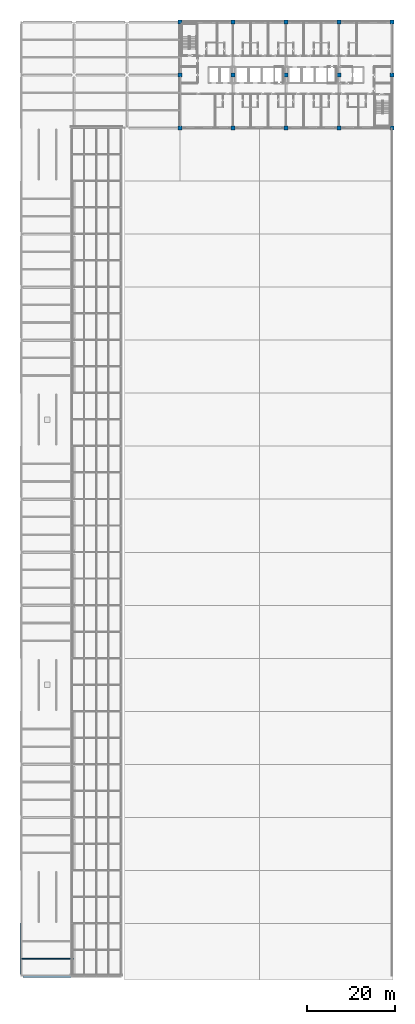
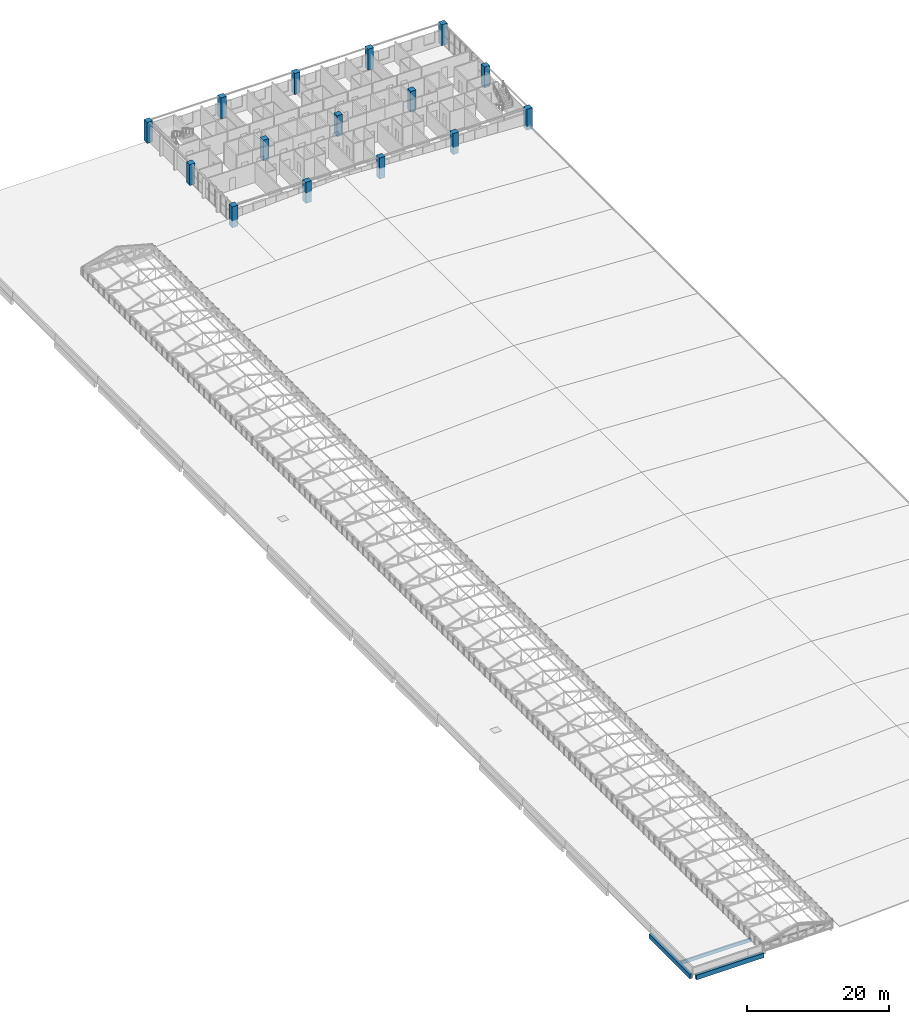
# One storey, part 1 of 94: 15 columns, 3 beams.
"""IFC4 building model written with IfcOpenShell, lengths in metres."""

from ifc_helpers import new_model, si_unit, direction, frame, origin, origin_2d, place, context, subcontext, project, spatial, rectangle, extrude, material, material_profile, profile_set, type_object, element, save


model = new_model("IFC4")

# Units and contexts
model_context = context("Model", 3, precision=1e-05, world=origin(), true_north=direction((0.0, 1.0)))
body_context = subcontext(model_context, "Body", "Model", "MODEL_VIEW")
ifc_project = project(units=[si_unit("LENGTHUNIT", "METRE"), si_unit("AREAUNIT", "SQUARE_METRE"), si_unit("VOLUMEUNIT", "CUBIC_METRE"), si_unit("PLANEANGLEUNIT", "RADIAN"), si_unit("MASSUNIT", "GRAM", prefix="KILO")], contexts=[model_context])

# Site, building, storey
site_placement = place(None, origin())
site = spatial("IfcSite", under=ifc_project, at=site_placement, CompositionType="ELEMENT")
building_placement = place(site_placement, origin())
building = spatial("IfcBuilding", under=site, at=building_placement, Name="Lilac Gate Convention Centre", CompositionType="ELEMENT")
storey_placement = place(building_placement, frame((0.0, 0.0, 21.0)))
storey = spatial("IfcBuildingStorey", under=building, at=storey_placement, Name="L04", CompositionType="ELEMENT", Elevation=21.0)

# Columns
ifc_material_1 = material(Name="Concrete C50", Category="concrete")
ifc_material_profile_1 = material_profile(ifc_material_1, rectangle(XDim=0.89990234375, YDim=0.89990234375, at=origin_2d()), Name="RC 900x900")
ifc_profile_set_1 = profile_set([ifc_material_profile_1], Name="Concrete C50")
column_type = type_object("IfcColumnType", Name="RC tower column 900x900 C50", PredefinedType="COLUMN", material=ifc_profile_set_1)
for number, where, z_axis, x_axis, name in (
    (1, (42.0, 222.0, 0.0), (0.0, 0.0, 1.0), (1.0, 0.0, 0.0), "C4 L04 at 4/S"),
    (2, (42.0, 234.0, 0.0), (0.0, 0.0, 1.0), (1.0, 0.0, 0.0), "C4 L04 at 4/T"),
    (3, (42.0, 246.0, 0.0), (0.0, 0.0, 1.0), (1.0, 0.0, 0.0), "C4 L04 at 4/U"),
    (4, (54.0, 222.0, 0.0), (0.0, 0.0, 1.0), (1.0, 0.0, 0.0), "C4 L04 at 5/S"),
    (5, (54.0, 234.0, 0.0), (0.0, 0.0, 1.0), (1.0, 0.0, 0.0), "C4 L04 at 5/T"),
    (6, (54.0, 246.0, 0.0), (0.0, 0.0, 1.0), (1.0, 0.0, 0.0), "C4 L04 at 5/U"),
    (7, (66.0, 222.0, 0.0), (0.0, 0.0, 1.0), (1.0, 0.0, 0.0), "C4 L04 at 6/S"),
    (8, (66.0, 234.0, 0.0), (0.0, 0.0, 1.0), (1.0, 0.0, 0.0), "C4 L04 at 6/T"),
    (9, (66.0, 246.0, 0.0), (0.0, 0.0, 1.0), (1.0, 0.0, 0.0), "C4 L04 at 6/U"),
    (10, (78.0, 222.0, 0.0), (0.0, 0.0, 1.0), (1.0, 0.0, 0.0), "C4 L04 at 7/S"),
    (11, (78.0, 234.0, 0.0), (0.0, 0.0, 1.0), (1.0, 0.0, 0.0), "C4 L04 at 7/T"),
    (12, (78.0, 246.0, 0.0), (0.0, 0.0, 1.0), (1.0, 0.0, 0.0), "C4 L04 at 7/U"),
    (13, (90.0, 222.0, 0.0), (0.0, 0.0, 1.0), (1.0, 0.0, 0.0), "C4 L04 at 8/S"),
    (14, (90.0, 234.0, 0.0), (0.0, 0.0, 1.0), (1.0, 0.0, 0.0), "C4 L04 at 8/T"),
    (15, (90.0, 246.0, 0.0), (0.0, 0.0, 1.0), (1.0, 0.0, 0.0), "C4 L04 at 8/U"),
):
    element("IfcColumn", number, at=place(storey_placement, frame(where, z_axis=z_axis, x_axis=x_axis)), inside=storey, type_object=column_type, Name=name, PredefinedType="COLUMN", context=body_context, shape_type="SweptSolid", body=[
        extrude(rectangle(XDim=0.89990234375, YDim=0.89990234375, at=origin_2d()), origin(), (0.0, 0.0, 1.0), 3.60009765625),
    ])

# Beams
ifc_material_2 = material(Name="Concrete C40", Category="concrete")
ifc_material_profile_2 = material_profile(ifc_material_2, rectangle(XDim=0.39990234375, YDim=0.800048828125, at=origin_2d()), Name="RC 400x800")
ifc_profile_set_2 = profile_set([ifc_material_profile_2], Name="Concrete C40")
beam_type_1 = type_object("IfcBeamType", Name="Tower primary beam 400x800 C40", PredefinedType="BEAM", material=ifc_profile_set_2)
beam_1_placement = place(storey_placement, frame((6.5, 30.0, -0.60009765625), z_axis=(1.0, 0.0, 0.0), x_axis=(0.0, 1.0, 0.0)))
element("IfcBeam", 16, at=beam_1_placement, inside=storey, type_object=beam_type_1, Name="RB3 L04 1/A-2/A", PredefinedType="BEAM", context=body_context, shape_type="SweptSolid", body=[
    extrude(rectangle(XDim=0.39990234375, YDim=0.800048828125, at=origin_2d()), origin(), (0.0, 0.0, 1.0), 11.0),
])
beam_2_placement = place(storey_placement, frame((6.0, 30.5, -0.60009765625), z_axis=(0.0, 1.0, 0.0), x_axis=(-1.0, 0.0, 0.0)))
element("IfcBeam", 17, at=beam_2_placement, inside=storey, type_object=beam_type_1, Name="RB3 L04 1/A-1/B", PredefinedType="BEAM", context=body_context, shape_type="SweptSolid", body=[
    extrude(rectangle(XDim=0.39990234375, YDim=0.800048828125, at=origin_2d()), origin(), (0.0, 0.0, 1.0), 11.5),
])
ifc_material_profile_3 = material_profile(ifc_material_2, rectangle(XDim=0.25, YDim=0.60009765625, at=origin_2d()), Name="RC 250x600")
ifc_profile_set_3 = profile_set([ifc_material_profile_3], Name="Concrete C40")
beam_type_2 = type_object("IfcBeamType", Name="Tower secondary beam 250x600 C40", PredefinedType="BEAM", material=ifc_profile_set_3)
beam_3_placement = place(storey_placement, frame((6.199951171875, 34.0, -0.5), z_axis=(1.0, 0.0, 0.0), x_axis=(0.0, 1.0, 0.0)))
element("IfcBeam", 18, at=beam_3_placement, inside=storey, type_object=beam_type_2, Name="RB4 L04 bay 1/A", PredefinedType="BEAM", context=body_context, shape_type="SweptSolid", body=[
    extrude(rectangle(XDim=0.25, YDim=0.60009765625, at=origin_2d()), origin(), (0.0, 0.0, 1.0), 11.60009765625),
])

save(model, "model.ifc")
